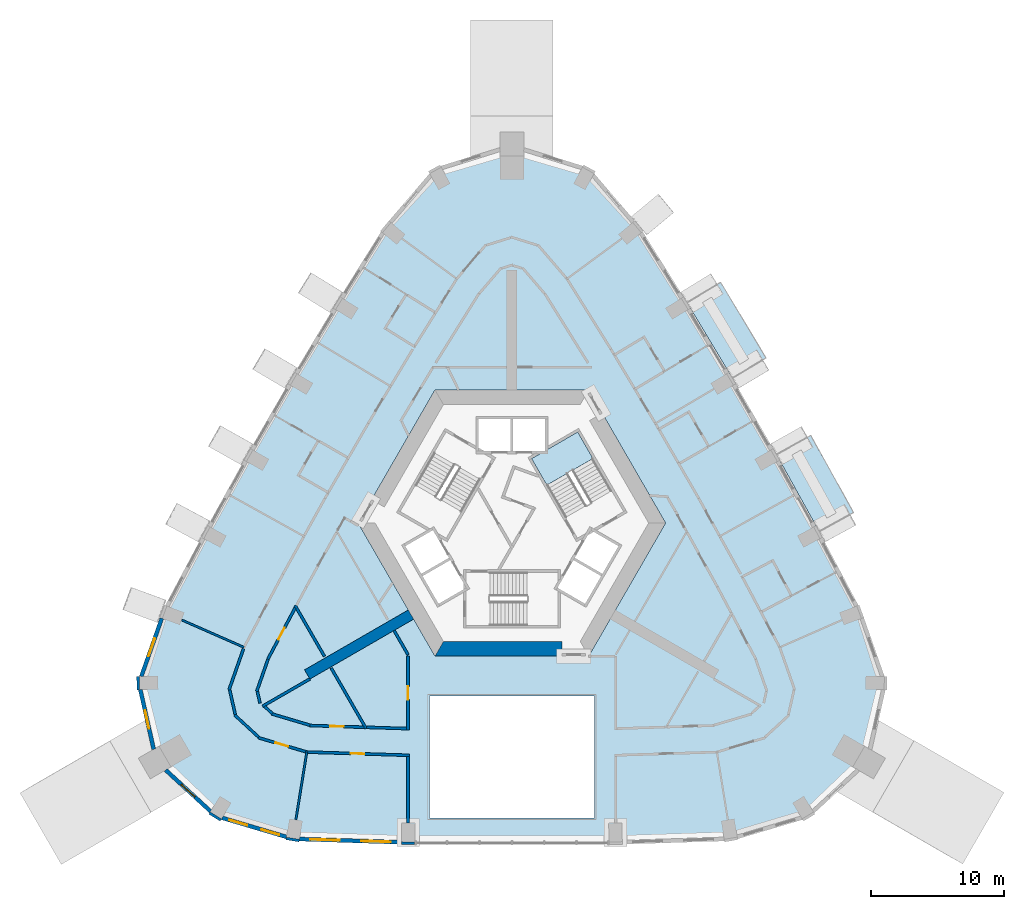
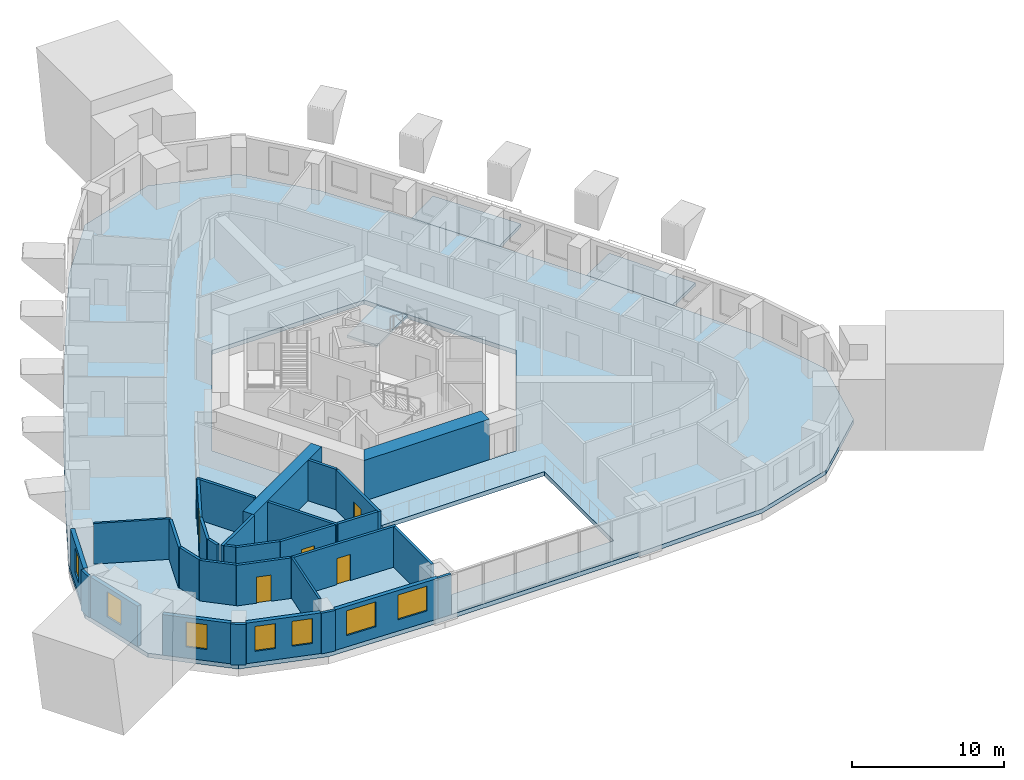
# One storey, part 3 of 12: 31 walls, 7 windows, 5 doors, 4 slabs, 12 openings, 1 element without a shape of its own.
"""IFC4 building model written with IfcOpenShell, lengths in metres."""

import ifcopenshell
import ifcopenshell.guid

model = None  # the IFC model being written
_history = None  # IfcOwnerHistory: only IFC2X3 demands one
_inside = {}  # id of a spatial element -> (the spatial element, [elements in it])
_under = {}  # id of a project, library or spatial element -> (it, [spatial elements below it])
_declared = {}  # id of a project -> (the project, [libraries it declares])
_typed = {}  # id of a type object -> (the type object, [elements of that type])
_made_of = {}  # id of a material, layer set ... -> (it, [elements and type objects made of it])


def new_model(schema):
    """Start an empty IFC model of exactly this schema.

    Asked for "IFC4X3", IfcOpenShell would pick the latest addendum, in which some entities
    have other attributes; the version numbers below select the first issue.
    IFC2X3 requires an IfcOwnerHistory on every rooted entity: one is made here for all.
    """
    global model, _history
    if schema == "IFC4X3":
        model = ifcopenshell.file(schema_version=(4, 3, 0, 0))
    else:
        model = ifcopenshell.file(schema=schema)
    _inside.clear()
    _under.clear()
    _declared.clear()
    _typed.clear()
    _made_of.clear()
    _history = None
    if model.schema == "IFC2X3":
        org = make("IfcOrganization", Name="unknown")
        user = make(
            "IfcPersonAndOrganization",
            ThePerson=make("IfcPerson", FamilyName="unknown"),
            TheOrganization=org,
        )
        app = make(
            "IfcApplication",
            ApplicationDeveloper=org,
            Version="unknown",
            ApplicationFullName="unknown",
            ApplicationIdentifier="unknown",
        )
        _history = make(
            "IfcOwnerHistory",
            OwningUser=user,
            OwningApplication=app,
            ChangeAction="ADDED",
            CreationDate=0,
        )
    return model


def make(cls, **values):
    """One entity of the class cls with the attributes given. An attribute that is None is left unset."""
    return model.create_entity(
        cls, **{name: value for name, value in values.items() if value is not None}
    )


def rooted(cls, **values):
    """An entity with a GlobalId (a new one), such as an element, a storey or a relation."""
    return make(cls, GlobalId=ifcopenshell.guid.new(), OwnerHistory=_history, **values)


def si_unit(unit_type, name, prefix=None):
    """IfcSIUnit, for example si_unit("LENGTHUNIT", "METRE", prefix="MILLI")."""
    return make("IfcSIUnit", UnitType=unit_type, Prefix=prefix, Name=name)


def assignment(units):
    """IfcUnitAssignment: the units of a project."""
    return None if units is None else make("IfcUnitAssignment", Units=units)


def point(xyz):
    """IfcCartesianPoint."""
    return None if xyz is None else make("IfcCartesianPoint", Coordinates=xyz)


def direction(xyz):
    """IfcDirection."""
    return None if xyz is None else make("IfcDirection", DirectionRatios=xyz)


def frame(location, z_axis=None, x_axis=None):
    """IfcAxis2Placement3D, a coordinate frame: its origin and axes. An axis left out is left unset."""
    return make(
        "IfcAxis2Placement3D",
        Location=point(location),
        Axis=direction(z_axis),
        RefDirection=direction(x_axis),
    )


def frame_2d(location, x_axis=None):
    """IfcAxis2Placement2D, a coordinate frame in the plane: its origin and x axis."""
    return make(
        "IfcAxis2Placement2D", Location=point(location), RefDirection=direction(x_axis)
    )


def origin():
    """The frame at (0, 0, 0) with its axes left unset."""
    return frame((0.0, 0.0, 0.0))


def place(relative_to, where):
    """IfcLocalPlacement: puts the frame where relative to a parent placement (None: the world)."""
    return make(
        "IfcLocalPlacement", PlacementRelTo=relative_to, RelativePlacement=where
    )


def context(
    kind, dimensions, precision=None, world=None, true_north=None, identifier=None
):
    """IfcGeometricRepresentationContext, for example the 3D "Model" context."""
    return make(
        "IfcGeometricRepresentationContext",
        ContextIdentifier=identifier,
        ContextType=kind,
        CoordinateSpaceDimension=dimensions,
        Precision=precision,
        WorldCoordinateSystem=world,
        TrueNorth=true_north,
    )


def subcontext(parent, identifier, kind, view, scale=None):
    """IfcGeometricRepresentationSubContext, for example "Body" below "Model"."""
    return make(
        "IfcGeometricRepresentationSubContext",
        ContextIdentifier=identifier,
        ContextType=kind,
        ParentContext=parent,
        TargetScale=scale,
        TargetView=view,
    )


def project(units=None, contexts=None):
    """IfcProject with its units and contexts."""
    return rooted(
        "IfcProject",
        Name="project",
        RepresentationContexts=contexts,
        UnitsInContext=assignment(units),
    )


def spatial(cls, under=None, at=None, **own):
    """A site, building, storey or space (cls), placed at a placement, below another one or the project."""
    s = rooted(cls, ObjectPlacement=at, **own)
    if under is not None:
        _under.setdefault(under.id(), (under, []))[1].append(s)
    return s


def polyline(points):
    """IfcPolyline through the points."""
    return make("IfcPolyline", Points=[point(p) for p in points])


def profile(cls, at=None, kind="AREA", **sizes):
    """A parametric profile (cls). Its sizes go by their IFC names, for example OverallWidth=200.0."""
    return make(cls, ProfileType=kind, Position=at, **sizes)


def rectangle(**sizes):
    """IfcRectangleProfileDef."""
    return profile("IfcRectangleProfileDef", **sizes)


def outline(outer, holes=None, kind="AREA"):
    """IfcArbitraryClosedProfileDef: a profile drawn as a closed curve; with holes, ...WithVoids."""
    if holes is None:
        return make("IfcArbitraryClosedProfileDef", ProfileType=kind, OuterCurve=outer)
    return make(
        "IfcArbitraryProfileDefWithVoids",
        ProfileType=kind,
        OuterCurve=outer,
        InnerCurves=holes,
    )


def extrude(swept, where, along, depth):
    """IfcExtrudedAreaSolid: the profile swept, set in the frame where, extruded along a direction by depth."""
    return make(
        "IfcExtrudedAreaSolid",
        SweptArea=swept,
        Position=where,
        ExtrudedDirection=direction(along),
        Depth=depth,
    )


def shape(context_of_items, identifier, shape_type, items):
    """IfcShapeRepresentation: the items that make up one representation, for example the "Body"."""
    return make(
        "IfcShapeRepresentation",
        ContextOfItems=context_of_items,
        RepresentationIdentifier=identifier,
        RepresentationType=shape_type,
        Items=items,
    )


def material(Name=None, Category=None):
    """IfcMaterial."""
    return make("IfcMaterial", Name=Name, Category=Category)


def layer(
    of_material, thickness, ventilated=None, Name=None, Category=None, Priority=None
):
    """IfcMaterialLayer: one layer of a wall or slab, of a material (None: an air gap)."""
    return make(
        "IfcMaterialLayer",
        Material=of_material,
        LayerThickness=thickness,
        IsVentilated=ventilated,
        Name=Name,
        Category=Category,
        Priority=Priority,
    )


def layer_set(layers, Name=None):
    """IfcMaterialLayerSet."""
    return make("IfcMaterialLayerSet", MaterialLayers=layers, LayerSetName=Name)


def made_of(thing, what):
    """Note that an element or type object is made of a material, layer set ...; save() writes the relation."""
    if what is not None:
        _made_of.setdefault(what.id(), (what, []))[1].append(thing)
    return thing


def type_object(cls, material=None, **own):
    """A type object (cls), such as IfcWallType, which elements share."""
    return made_of(rooted(cls, **own), material)


def element(
    cls,
    number,
    at=None,
    inside=None,
    cuts=None,
    type_object=None,
    material=None,
    context=None,
    identifier="Body",
    shape_type=None,
    held_by="IfcProductDefinitionShape",
    body=None,
    shapes=None,
    **own,
):
    """One element of the class cls, such as IfcWall. Its Tag is "e" and its number.

    at: its placement. inside: the storey or other place that contains it. cuts: it is an
    opening in that element (IfcRelVoidsElement). A single representation is given by context,
    identifier, shape_type and body (its items); several are given by shapes. held_by: the class
    of the entity that holds the representations. save() writes the other relations.
    """
    e = rooted(cls, Tag="e%d" % number, ObjectPlacement=at, **own)
    if body is not None:
        shapes = [shape(context, identifier, shape_type, body)]
    if shapes is not None:
        e.Representation = make(held_by, Representations=shapes)
    if inside is not None:
        _inside.setdefault(inside.id(), (inside, []))[1].append(e)
    if cuts is not None:
        rooted(
            "IfcRelVoidsElement", RelatingBuildingElement=cuts, RelatedOpeningElement=e
        )
    if type_object is not None:
        _typed.setdefault(type_object.id(), (type_object, []))[1].append(e)
    return made_of(e, material)


def fill(opening, filler):
    """IfcRelFillsElement: the door or window that sits in an opening."""
    return rooted(
        "IfcRelFillsElement",
        RelatingOpeningElement=opening,
        RelatedBuildingElement=filler,
    )


def aggregate(whole, parts):
    """IfcRelAggregates: a whole, such as a stair, and the parts it consists of."""
    return rooted("IfcRelAggregates", RelatingObject=whole, RelatedObjects=parts)


def save(model, path):
    """Write the relations noted so far, then the file.

    IfcRelAggregates (storeys below a building ...), IfcRelContainedInSpatialStructure (elements
    in a storey), IfcRelDefinesByType, IfcRelAssociatesMaterial and IfcRelDeclares: one each for
    every whole, place, type object, material and project.
    """
    for whole, parts in _under.values():
        aggregate(whole, parts)
    for where, things in _inside.values():
        rooted(
            "IfcRelContainedInSpatialStructure",
            RelatedElements=things,
            RelatingStructure=where,
        )
    for kind, things in _typed.values():
        rooted("IfcRelDefinesByType", RelatedObjects=things, RelatingType=kind)
    for what, things in _made_of.values():
        rooted("IfcRelAssociatesMaterial", RelatedObjects=things, RelatingMaterial=what)
    for by, libraries in _declared.values():
        rooted("IfcRelDeclares", RelatingContext=by, RelatedDefinitions=libraries)
    model.write(path)


model = new_model("IFC4")

# Units and contexts
model_context = context("Model", 3, precision=1e-05, world=origin(), true_north=direction((0.0, 1.0)))
body_context = subcontext(model_context, "Body", "Model", "MODEL_VIEW")
ifc_project = project(units=[si_unit("LENGTHUNIT", "METRE"), si_unit("AREAUNIT", "SQUARE_METRE"), si_unit("VOLUMEUNIT", "CUBIC_METRE"), si_unit("PLANEANGLEUNIT", "RADIAN"), si_unit("MASSUNIT", "GRAM", prefix="KILO")], contexts=[model_context])

# Site, building, storey
site_placement = place(None, origin())
site = spatial("IfcSite", under=ifc_project, at=site_placement, CompositionType="ELEMENT")
building_placement = place(site_placement, origin())
building = spatial("IfcBuilding", under=site, at=building_placement, Name="Entoto Arch Interchange Tower", CompositionType="ELEMENT")
storey_placement = place(building_placement, frame((0.0, 0.0, 273.800048828125)))
storey = spatial("IfcBuildingStorey", under=building, at=storey_placement, Name="L63", CompositionType="ELEMENT", Elevation=273.800048828125)

# Slabs
ifc_material_1 = material(Name="Board-marked precast concrete C50/60", Category="concrete")
ifc_layer_1 = layer(ifc_material_1, 0.25)
ifc_layer_set_1 = layer_set([ifc_layer_1], Name="Board-marked precast concrete C50/60")
slab_type_1 = type_object("IfcSlabType", Name="BALCONY DECK PRECAST 250", PredefinedType="FLOOR", material=ifc_layer_set_1)
slab_1_placement = place(storey_placement, frame((0.0, 0.0, -0.25)))
element("IfcSlab", 1, at=slab_1_placement, inside=storey, type_object=slab_type_1, Name="Planted balcony NE-02 L63", PredefinedType="FLOOR", context=body_context, shape_type="SweptSolid", body=[
    extrude(outline(polyline([(23.083984375, 1.860107421875), (19.873046875, 7.64990234375), (22.452880859375, 9.0810546875), (25.6640625, 3.291015625), (23.083984375, 1.860107421875)])), origin(), (0.0, 0.0, 1.0), 0.25),
])
slab_2_placement = place(storey_placement, frame((0.0, 0.0, -0.25)))
element("IfcSlab", 2, at=slab_2_placement, inside=storey, type_object=slab_type_1, Name="Planted balcony NE-04 L63", PredefinedType="FLOOR", context=body_context, shape_type="SweptSolid", body=[
    extrude(outline(polyline([(16.56201171875, 13.385009765625), (13.153076171875, 19.06103515625), (15.681884765625, 20.580078125), (19.091064453125, 14.904052734375), (16.56201171875, 13.385009765625)])), origin(), (0.0, 0.0, 1.0), 0.25),
])

# Stair, slab
ifc_material_2 = material(Name="Concrete C40/50", Category="concrete")
stair_type = type_object("IfcStairType", Name="EXIT STAIR RC 1800", PredefinedType="HALF_TURN_STAIR", material=ifc_material_2)
stair_placement = place(storey_placement, origin())
stair = element("IfcStair", 3, at=stair_placement, inside=storey, type_object=stair_type, Name="L63 Exit stair NE", PredefinedType="HALF_TURN_STAIR")
ifc_layer_2 = layer(ifc_material_2, 0.199951171875)
ifc_layer_set_2 = layer_set([ifc_layer_2], Name="Concrete C40/50")
slab_type_2 = type_object("IfcSlabType", Name="EXIT STAIR LANDING RC 200", PredefinedType="LANDING", material=ifc_layer_set_2)
slab_3_placement = place(storey_placement, frame((0.0, 0.0, 1.599853515625)))
slab_3 = element("IfcSlab", 4, at=slab_3_placement, type_object=slab_type_2, Name="ST-NE landing 1", PredefinedType="LANDING", context=body_context, shape_type="SweptSolid", body=[
    extrude(outline(polyline([(6.093505859375, 7.345947265625), (4.943359375, 9.337890625), (1.479248046875, 7.337890625), (2.62939453125, 5.345947265625), (6.093505859375, 7.345947265625)])), origin(), (0.0, 0.0, 1.0), 0.2001953125),
])
aggregate(stair, [slab_3])

# Slab
ifc_layer_3 = layer(ifc_material_2, 0.340087890625)
ifc_layer_set_3 = layer_set([ifc_layer_3], Name="Concrete C40/50")
slab_type_3 = type_object("IfcSlabType", Name="Post-tensioned flat plate 340 C40/50", PredefinedType="FLOOR", material=ifc_layer_set_3)
slab_4_placement = place(storey_placement, frame((0.0, 0.0, -0.340087890625)))
element("IfcSlab", 5, at=slab_4_placement, inside=storey, type_object=slab_type_3, Name="Floor slab L63", PredefinedType="FLOOR", context=body_context, shape_type="SweptSolid", body=[
    extrude(outline(polyline([(-16.47998046875, -21.3740234375), (-7.800048828125, -21.64990234375), (7.800048828125, -21.64990234375), (16.47998046875, -21.3740234375), (22.340087890625, -19.635009765625), (26.8359375, -15.493896484375), (28.174072265625, -9.529052734375), (26.27294921875, -4.135986328125), (23.083984375, 1.860107421875), (19.873046875, 7.64990234375), (16.56201171875, 13.385009765625), (13.153076171875, 19.06103515625), (9.553955078125, 24.821044921875), (5.833984375, 29.1640625), (0.0, 30.988037109375), (-5.833984375, 29.1640625), (-9.553955078125, 24.821044921875), (-13.153076171875, 19.06103515625), (-16.56201171875, 13.385009765625), (-19.873046875, 7.64990234375), (-23.083984375, 1.860107421875), (-26.27294921875, -4.135986328125), (-28.174072265625, -9.529052734375), (-26.8359375, -15.493896484375), (-22.340087890625, -19.635009765625), (-16.47998046875, -21.3740234375)]), holes=[polyline([(6.199951171875, -19.64990234375), (6.199951171875, -10.5), (-6.199951171875, -10.5), (-6.199951171875, -19.64990234375), (6.199951171875, -19.64990234375)]), polyline([(11.547119140625, 2.5), (5.77392578125, 12.5), (-5.77392578125, 12.5), (-11.547119140625, 2.5), (-5.77392578125, -7.5), (5.77392578125, -7.5), (11.547119140625, 2.5)])]), origin(), (0.0, 0.0, 1.0), 0.340087890625),
])

# Walls
ifc_layer_4 = layer(ifc_material_2, 0.800048828125)
ifc_layer_set_4 = layer_set([ifc_layer_4], Name="Concrete C40/50")
wall_type_1 = type_object("IfcWallType", Name="Buttress wall 800 C40/50", PredefinedType="SHEAR", material=ifc_layer_set_4)
wall_1_placement = place(storey_placement, frame((-7.577880859375, -4.375, -0.340087890625), z_axis=(0.0, 0.0, 1.0), x_axis=(-0.866024315419, -0.5000018851, 0.0)))
element("IfcWall", 6, at=wall_1_placement, inside=storey, type_object=wall_type_1, Name="Buttress wall SW L63", PredefinedType="SHEAR", context=body_context, shape_type="SweptSolid", body=[
    extrude(rectangle(XDim=9.0, YDim=0.800048828125, at=frame_2d((4.5, 0.0))), origin(), (0.0, 0.0, 1.0), 3.60009765625),
])
ifc_layer_5 = layer(ifc_material_2, 1.10009765625)
ifc_layer_set_5 = layer_set([ifc_layer_5], Name="Concrete C40/50")
wall_type_2 = type_object("IfcWallType", Name="Core wall 1100 C40/50", PredefinedType="SHEAR", material=ifc_layer_set_5)
wall_2_placement = place(storey_placement, frame((0.0, 0.0, -0.340087890625)))
element("IfcWall", 7, at=wall_2_placement, inside=storey, type_object=wall_type_2, Name="Core wall S L63", PredefinedType="SHEAR", context=body_context, shape_type="SweptSolid", body=[
    extrude(outline(polyline([(3.75, -7.5), (3.75, -6.39990234375), (-5.137939453125, -6.39990234375), (-5.77392578125, -7.5), (3.75, -7.5)])), origin(), (0.0, 0.0, 1.0), 3.60009765625),
])
ifc_material_3 = material(Name="Gypsum board partition on steel studs", Category="steel")
ifc_layer_6 = layer(ifc_material_3, 0.14990234375)
ifc_layer_set_6 = layer_set([ifc_layer_6], Name="Gypsum board partition on steel studs")
wall_type_3 = type_object("IfcWallType", Name="PARTITION 150", PredefinedType="PARTITIONING", material=ifc_layer_set_6)
wall_3_placement = place(storey_placement, frame((-20.12109375, -6.837890625, 0.0), z_axis=(0.0, 0.0, 1.0), x_axis=(-0.91561994307, 0.402044922679, 0.0)))
element("IfcWall", 8, at=wall_3_placement, inside=storey, type_object=wall_type_3, Name="wall:L63:p122", PredefinedType="PARTITIONING", context=body_context, shape_type="SweptSolid", body=[
    extrude(rectangle(XDim=5.095947265625, YDim=0.14990234375, at=frame_2d((2.5478515625, 0.0))), origin(), (0.0, 0.0, 1.0), 3.260009765625),
])
wall_4_placement = place(storey_placement, frame((-15.403076171875, -14.705078125, 0.0), z_axis=(0.0, 0.0, 1.0), x_axis=(-0.159447664828, -0.98720638277, 0.0)))
element("IfcWall", 9, at=wall_4_placement, inside=storey, type_object=wall_type_3, Name="wall:L63:p123", PredefinedType="PARTITIONING", context=body_context, shape_type="SweptSolid", body=[
    extrude(rectangle(XDim=5.135498046875, YDim=0.14990234375, at=frame_2d((2.56787109375, 0.0))), origin(), (0.0, 0.0, 1.0), 3.260009765625),
])
ifc_layer_7 = layer(ifc_material_3, 0.199951171875)
ifc_layer_set_7 = layer_set([ifc_layer_7], Name="Gypsum board partition on steel studs")
wall_type_4 = type_object("IfcWallType", Name="PARTITION 200", PredefinedType="PARTITIONING", material=ifc_layer_set_7)
wall_5_placement = place(storey_placement, frame((-10.902099609375, -12.846923828125, 0.0), z_axis=(0.0, 0.0, 1.0), x_axis=(0.999500028713, -0.031617915847, 0.0)))
element("IfcWall", 10, at=wall_5_placement, inside=storey, type_object=wall_type_4, Name="wall:L63:p030", PredefinedType="PARTITIONING", context=body_context, shape_type="SweptSolid", body=[
    extrude(rectangle(XDim=3.003662109375, YDim=0.199951171875, at=frame_2d((1.501953125, 0.0))), origin(), (0.0, 0.0, 1.0), 3.260009765625),
])

# Wall, opening, door
wall_6_placement = place(storey_placement, frame((-16.279052734375, -3.873046875, 0.0), z_axis=(0.0, 0.0, 1.0), x_axis=(-0.469587967357, -0.882885689608, 0.0)))
wall_6 = element("IfcWall", 11, at=wall_6_placement, inside=storey, type_object=wall_type_4, Name="wall:L63:p031", PredefinedType="PARTITIONING", context=body_context, shape_type="SweptSolid", body=[
    extrude(rectangle(XDim=4.371826171875, YDim=0.199951171875, at=frame_2d((2.18603515625, 0.0))), origin(), (0.0, 0.0, 1.0), 3.260009765625),
])
opening_1_placement = place(wall_6_placement, frame((1.68603515625, 0.0, 0.0)))
opening_1 = element("IfcOpeningElement", 12, at=opening_1_placement, cuts=wall_6, Name="Opening L63-D28", PredefinedType="OPENING", context=body_context, shape_type="SweptSolid", body=[
    extrude(rectangle(XDim=1.0, YDim=2.10009765625, at=frame_2d((0.5, 1.050048828125))), frame((0.0, 0.10986328125, 0.0), z_axis=(0.0, -1.0, 0.0), x_axis=(1.0, 0.0, 0.0)), (0.0, 0.0, 1.0), 0.219970703125),
])
ifc_material_4 = material(Name="Timber door leaf in Steel S235 frame", Category="steel")
door_type = type_object("IfcDoorType", Name="DOOR DS-10 1000x2100", OperationType="SINGLE_SWING_LEFT", PredefinedType="DOOR", material=ifc_material_4)
door_1_placement = place(opening_1_placement, origin())
door_1 = element("IfcDoor", 13, at=door_1_placement, inside=storey, type_object=door_type, Name="door:L63:28", OperationType="SINGLE_SWING_LEFT", OverallHeight=2.10009765625, OverallWidth=1.0, PredefinedType="DOOR", context=body_context, shape_type="SweptSolid", body=[
    extrude(rectangle(XDim=1.0, YDim=2.10009765625, at=frame_2d((0.5, 1.050048828125))), frame((0.0, 0.02490234375, 0.0), z_axis=(0.0, -1.0, 0.0), x_axis=(1.0, 0.0, 0.0)), (0.0, 0.0, 1.0), 0.050048828125),
])
fill(opening_1, door_1)

# Walls
wall_7_placement = place(storey_placement, frame((-18.318115234375, -7.739013671875, 0.0), z_axis=(0.0, 0.0, 1.0), x_axis=(-0.332486504777, -0.943108012977, 0.0)))
element("IfcWall", 14, at=wall_7_placement, inside=storey, type_object=wall_type_4, Name="wall:L63:p032", PredefinedType="PARTITIONING", context=body_context, shape_type="SweptSolid", body=[
    extrude(rectangle(XDim=2.56494140625, YDim=0.199951171875, at=frame_2d((1.282470703125, 0.0))), origin(), (0.0, 0.0, 1.0), 3.260009765625),
])
wall_8_placement = place(storey_placement, frame((-19.115966796875, -10.160888671875, 0.0), z_axis=(0.0, 0.0, 1.0), x_axis=(0.219096654714, -0.975703159723, 0.0)))
element("IfcWall", 15, at=wall_8_placement, inside=storey, type_object=wall_type_4, Name="wall:L63:p033", PredefinedType="PARTITIONING", context=body_context, shape_type="SweptSolid", body=[
    extrude(rectangle(XDim=0.894775390625, YDim=0.199951171875, at=frame_2d((0.447265625, 0.0))), origin(), (0.0, 0.0, 1.0), 3.260009765625),
])
wall_9_placement = place(storey_placement, frame((-18.56689453125, -11.281982421875, 0.0), z_axis=(0.0, 0.0, 1.0), x_axis=(0.735218904444, -0.677829744514, 0.0)))
element("IfcWall", 16, at=wall_9_placement, inside=storey, type_object=wall_type_4, Name="wall:L63:p034", PredefinedType="PARTITIONING", context=body_context, shape_type="SweptSolid", body=[
    extrude(rectangle(XDim=0.765625, YDim=0.199951171875, at=frame_2d((0.3828125, 0.0))), origin(), (0.0, 0.0, 1.0), 3.260009765625),
])
wall_10_placement = place(storey_placement, frame((-18.02587890625, -11.840087890625, 0.0), z_axis=(0.0, 0.0, 1.0), x_axis=(0.958629704259, -0.284656090947, 0.0)))
element("IfcWall", 17, at=wall_10_placement, inside=storey, type_object=wall_type_4, Name="wall:L63:p035", PredefinedType="PARTITIONING", context=body_context, shape_type="SweptSolid", body=[
    extrude(rectangle(XDim=2.971923828125, YDim=0.199951171875, at=frame_2d((1.48583984375, 0.0))), origin(), (0.0, 0.0, 1.0), 3.260009765625),
])

# Wall, opening, door
wall_11_placement = place(storey_placement, frame((-15.180908203125, -12.7109375, 0.0), z_axis=(0.0, 0.0, 1.0), x_axis=(0.999491493959, -0.031886572471, 0.0)))
wall_11 = element("IfcWall", 18, at=wall_11_placement, inside=storey, type_object=wall_type_4, Name="wall:L63:p036", PredefinedType="PARTITIONING", context=body_context, shape_type="SweptSolid", body=[
    extrude(rectangle(XDim=4.080810546875, YDim=0.199951171875, at=frame_2d((2.04052734375, 0.0))), origin(), (0.0, 0.0, 1.0), 3.260009765625),
])
opening_2_placement = place(wall_11_placement, frame((1.541015625, 0.0, 0.0)))
opening_2 = element("IfcOpeningElement", 19, at=opening_2_placement, cuts=wall_11, Name="Opening L63-D29", PredefinedType="OPENING", context=body_context, shape_type="SweptSolid", body=[
    extrude(rectangle(XDim=1.0, YDim=2.10009765625, at=frame_2d((0.5, 1.050048828125))), frame((0.0, 0.10986328125, 0.0), z_axis=(0.0, -1.0, 0.0), x_axis=(1.0, 0.0, 0.0)), (0.0, 0.0, 1.0), 0.219970703125),
])
door_2_placement = place(opening_2_placement, origin())
door_2 = element("IfcDoor", 20, at=door_2_placement, inside=storey, type_object=door_type, Name="door:L63:29", OperationType="SINGLE_SWING_LEFT", OverallHeight=2.10009765625, OverallWidth=1.0, PredefinedType="DOOR", context=body_context, shape_type="SweptSolid", body=[
    extrude(rectangle(XDim=1.0, YDim=2.10009765625, at=frame_2d((0.5, 1.050048828125))), frame((0.0, 0.02490234375, 0.0), z_axis=(0.0, -1.0, 0.0), x_axis=(1.0, 0.0, 0.0)), (0.0, 0.0, 1.0), 0.050048828125),
])
fill(opening_2, door_2)

wall_12_placement = place(storey_placement, frame((-15.4990234375, -14.676025390625, 0.0), z_axis=(0.0, 0.0, 1.0), x_axis=(-0.958734738219, 0.284302131073, 0.0)))
wall_12 = element("IfcWall", 21, at=wall_12_placement, inside=storey, type_object=wall_type_4, Name="wall:L63:p067", PredefinedType="PARTITIONING", context=body_context, shape_type="SweptSolid", body=[
    extrude(rectangle(XDim=3.693359375, YDim=0.199951171875, at=frame_2d((1.8466796875, 0.0))), origin(), (0.0, 0.0, 1.0), 3.260009765625),
])
opening_3_placement = place(wall_12_placement, frame((1.346923828125, 0.0, 0.0)))
opening_3 = element("IfcOpeningElement", 22, at=opening_3_placement, cuts=wall_12, Name="Opening L63-D20", PredefinedType="OPENING", context=body_context, shape_type="SweptSolid", body=[
    extrude(rectangle(XDim=1.0, YDim=2.10009765625, at=frame_2d((0.5, 1.050048828125))), frame((0.0, 0.10986328125, 0.0), z_axis=(0.0, -1.0, 0.0), x_axis=(1.0, 0.0, 0.0)), (0.0, 0.0, 1.0), 0.219970703125),
])
door_3_placement = place(opening_3_placement, origin())
door_3 = element("IfcDoor", 23, at=door_3_placement, inside=storey, type_object=door_type, Name="door:L63:20", OperationType="SINGLE_SWING_LEFT", OverallHeight=2.10009765625, OverallWidth=1.0, PredefinedType="DOOR", context=body_context, shape_type="SweptSolid", body=[
    extrude(rectangle(XDim=1.0, YDim=2.10009765625, at=frame_2d((0.5, 1.050048828125))), frame((0.0, 0.02490234375, 0.0), z_axis=(0.0, -1.0, 0.0), x_axis=(1.0, 0.0, 0.0)), (0.0, 0.0, 1.0), 0.050048828125),
])
fill(opening_3, door_3)

# Walls
wall_13_placement = place(storey_placement, frame((-19.01806640625, -13.5859375, 0.0), z_axis=(0.0, 0.0, 1.0), x_axis=(-0.735547704352, 0.67747293276, 0.0)))
element("IfcWall", 24, at=wall_13_placement, inside=storey, type_object=wall_type_4, Name="wall:L63:p068", PredefinedType="PARTITIONING", context=body_context, shape_type="SweptSolid", body=[
    extrude(rectangle(XDim=2.46337890625, YDim=0.199951171875, at=frame_2d((1.231689453125, 0.0))), origin(), (0.0, 0.0, 1.0), 3.260009765625),
])
wall_14_placement = place(storey_placement, frame((-20.779052734375, -11.886962890625, 0.0), z_axis=(0.0, 0.0, 1.0), x_axis=(-0.218540107266, 0.975827967173, 0.0)))
element("IfcWall", 25, at=wall_14_placement, inside=storey, type_object=wall_type_4, Name="wall:L63:p069", PredefinedType="PARTITIONING", context=body_context, shape_type="SweptSolid", body=[
    extrude(rectangle(XDim=1.894775390625, YDim=0.199951171875, at=frame_2d((0.947265625, 0.0))), origin(), (0.0, 0.0, 1.0), 3.260009765625),
])
wall_15_placement = place(storey_placement, frame((-21.248046875, -10.034912109375, 0.0), z_axis=(0.0, 0.0, 1.0), x_axis=(0.332233916116, 0.943197023417, 0.0)))
element("IfcWall", 26, at=wall_15_placement, inside=storey, type_object=wall_type_4, Name="wall:L63:p070", PredefinedType="PARTITIONING", context=body_context, shape_type="SweptSolid", body=[
    extrude(rectangle(XDim=3.289794921875, YDim=0.199951171875, at=frame_2d((1.64501953125, 0.0))), origin(), (0.0, 0.0, 1.0), 3.260009765625),
])

# Wall, opening, door
wall_16_placement = place(storey_placement, frame((-7.699951171875, -14.949951171875, 0.0), z_axis=(0.0, 0.0, 1.0), x_axis=(-0.999495120537, 0.031772693047, 0.0)))
wall_16 = element("IfcWall", 27, at=wall_16_placement, inside=storey, type_object=wall_type_4, Name="wall:L63:p071", PredefinedType="PARTITIONING", context=body_context, shape_type="SweptSolid", body=[
    extrude(rectangle(XDim=7.806884765625, YDim=0.199951171875, at=frame_2d((3.9033203125, 0.0))), origin(), (0.0, 0.0, 1.0), 3.260009765625),
])
opening_4_placement = place(wall_16_placement, frame((3.403076171875, 0.0, 0.0)))
opening_4 = element("IfcOpeningElement", 28, at=opening_4_placement, cuts=wall_16, Name="Opening L63-D21", PredefinedType="OPENING", context=body_context, shape_type="SweptSolid", body=[
    extrude(rectangle(XDim=1.0, YDim=2.10009765625, at=frame_2d((0.5, 1.050048828125))), frame((0.0, 0.10986328125, 0.0), z_axis=(0.0, -1.0, 0.0), x_axis=(1.0, 0.0, 0.0)), (0.0, 0.0, 1.0), 0.219970703125),
])
door_4_placement = place(opening_4_placement, origin())
door_4 = element("IfcDoor", 29, at=door_4_placement, inside=storey, type_object=door_type, Name="door:L63:21", OperationType="SINGLE_SWING_LEFT", OverallHeight=2.10009765625, OverallWidth=1.0, PredefinedType="DOOR", context=body_context, shape_type="SweptSolid", body=[
    extrude(rectangle(XDim=1.0, YDim=2.10009765625, at=frame_2d((0.5, 1.050048828125))), frame((0.0, 0.02490234375, 0.0), z_axis=(0.0, -1.0, 0.0), x_axis=(1.0, 0.0, 0.0)), (0.0, 0.0, 1.0), 0.050048828125),
])
fill(opening_4, door_4)

wall_17_placement = place(storey_placement, frame((-7.800048828125, -13.0458984375, 0.0), z_axis=(0.0, 0.0, 1.0), x_axis=(0.0, 1.0, 0.0)))
wall_17 = element("IfcWall", 30, at=wall_17_placement, inside=storey, type_object=wall_type_4, Name="wall:L63:p082", PredefinedType="PARTITIONING", context=body_context, shape_type="SweptSolid", body=[
    extrude(rectangle(XDim=5.546875, YDim=0.199951171875, at=frame_2d((2.7734375, 0.0))), origin(), (0.0, 0.0, 1.0), 3.260009765625),
])
opening_5_placement = place(wall_17_placement, frame((2.27294921875, 0.0, 0.0)))
opening_5 = element("IfcOpeningElement", 31, at=opening_5_placement, cuts=wall_17, Name="Opening L63-D27", PredefinedType="OPENING", context=body_context, shape_type="SweptSolid", body=[
    extrude(rectangle(XDim=1.0, YDim=2.10009765625, at=frame_2d((0.5, 1.050048828125))), frame((0.0, 0.10986328125, 0.0), z_axis=(0.0, -1.0, 0.0), x_axis=(1.0, 0.0, 0.0)), (0.0, 0.0, 1.0), 0.219970703125),
])
door_5_placement = place(opening_5_placement, origin())
door_5 = element("IfcDoor", 32, at=door_5_placement, inside=storey, type_object=door_type, Name="door:L63:27", OperationType="SINGLE_SWING_LEFT", OverallHeight=2.10009765625, OverallWidth=1.0, PredefinedType="DOOR", context=body_context, shape_type="SweptSolid", body=[
    extrude(rectangle(XDim=1.0, YDim=2.10009765625, at=frame_2d((0.5, 1.050048828125))), frame((0.0, 0.02490234375, 0.0), z_axis=(0.0, -1.0, 0.0), x_axis=(1.0, 0.0, 0.0)), (0.0, 0.0, 1.0), 0.050048828125),
])
fill(opening_5, door_5)

# Walls
wall_18_placement = place(storey_placement, frame((-7.800048828125, -7.389892578125, 0.0), z_axis=(0.0, 0.0, 1.0), x_axis=(-0.499977374825, 0.866038466041, 0.0)))
element("IfcWall", 33, at=wall_18_placement, inside=storey, type_object=wall_type_4, Name="wall:L63:p083", PredefinedType="PARTITIONING", context=body_context, shape_type="SweptSolid", body=[
    extrude(rectangle(XDim=2.10009765625, YDim=0.199951171875, at=frame_2d((1.050048828125, 0.0))), origin(), (0.0, 0.0, 1.0), 3.260009765625),
])
wall_19_placement = place(storey_placement, frame((-7.800048828125, -20.030029296875, 0.0), z_axis=(0.0, 0.0, 1.0), x_axis=(0.0, 1.0, 0.0)))
element("IfcWall", 34, at=wall_19_placement, inside=storey, type_object=wall_type_4, Name="wall:L63:p085", PredefinedType="PARTITIONING", context=body_context, shape_type="SweptSolid", body=[
    extrude(rectangle(XDim=4.98291015625, YDim=0.199951171875, at=frame_2d((2.491455078125, 0.0))), origin(), (0.0, 0.0, 1.0), 3.260009765625),
])
wall_20_placement = place(storey_placement, frame((-14.0791015625, -7.513916015625, 0.0), z_axis=(0.0, 0.0, 1.0), x_axis=(-0.499959077901, 0.86604902888, 0.0)))
element("IfcWall", 35, at=wall_20_placement, inside=storey, type_object=wall_type_4, Name="wall:L63:p090", PredefinedType="PARTITIONING", context=body_context, shape_type="SweptSolid", body=[
    extrude(rectangle(XDim=4.406005859375, YDim=0.199951171875, at=frame_2d((2.203125, 0.0))), origin(), (0.0, 0.0, 1.0), 3.260009765625),
])
wall_21_placement = place(storey_placement, frame((-10.951904296875, -12.929931640625, 0.0), z_axis=(0.0, 0.0, 1.0), x_axis=(-0.50002013732, 0.866013777185, 0.0)))
element("IfcWall", 36, at=wall_21_placement, inside=storey, type_object=wall_type_4, Name="wall:L63:p092", PredefinedType="PARTITIONING", context=body_context, shape_type="SweptSolid", body=[
    extrude(rectangle(XDim=5.229736328125, YDim=0.199951171875, at=frame_2d((2.61474609375, 0.0))), origin(), (0.0, 0.0, 1.0), 3.260009765625),
])
wall_22_placement = place(storey_placement, frame((-15.176025390625, -9.214111328125, 0.0), z_axis=(0.0, 0.0, 1.0), x_axis=(-0.86606561423, -0.499930346997, 0.0)))
element("IfcWall", 37, at=wall_22_placement, inside=storey, type_object=wall_type_4, Name="wall:L63:p093", PredefinedType="PARTITIONING", context=body_context, shape_type="SweptSolid", body=[
    extrude(rectangle(XDim=4.10009765625, YDim=0.199951171875, at=frame_2d((2.050048828125, 0.0))), origin(), (0.0, 0.0, 1.0), 3.260009765625),
])

# Wall, openings, windows
ifc_material_5 = material(Name="Welded tuff (ignimbrite) cladding, warm buff", Category="masonry")
ifc_layer_8 = layer(ifc_material_5, 0.300048828125)
ifc_layer_set_8 = layer_set([ifc_layer_8], Name="Welded tuff (ignimbrite) cladding, warm buff")
wall_type_5 = type_object("IfcWallType", Name="STONE INFILL WALL 300", PredefinedType="STANDARD", material=ifc_layer_set_8)
wall_23_placement = place(storey_placement, frame((-15.950927734375, -21.240966796875, 0.0), z_axis=(0.0, 0.0, 1.0), x_axis=(0.999496876383, -0.031717410046, 0.0)))
wall_23 = element("IfcWall", 38, at=wall_23_placement, inside=storey, type_object=wall_type_5, Name="Facade wall S-01 L63", PredefinedType="STANDARD", context=body_context, shape_type="SweptSolid", body=[
    extrude(rectangle(XDim=7.658935546875, YDim=0.300048828125, at=frame_2d((3.82958984375, 0.0))), origin(), (0.0, 0.0, 1.0), 3.260009765625),
])
opening_6_placement = place(wall_23_placement, frame((0.81494140625, 0.0, 0.89990234375)))
opening_6 = element("IfcOpeningElement", 39, at=opening_6_placement, cuts=wall_23, Name="Opening WH-A", PredefinedType="OPENING", context=body_context, shape_type="SweptSolid", body=[
    extrude(rectangle(XDim=2.199951171875, YDim=2.0, at=frame_2d((1.10009765625, 1.0))), frame((0.0, 0.16015625, 0.0), z_axis=(0.0, -1.0, 0.0), x_axis=(1.0, 0.0, 0.0)), (0.0, 0.0, 1.0), 0.320068359375),
])
opening_7_placement = place(wall_23_placement, frame((4.64404296875, 0.0, 0.89990234375)))
opening_7 = element("IfcOpeningElement", 40, at=opening_7_placement, cuts=wall_23, Name="Opening WH-A", PredefinedType="OPENING", context=body_context, shape_type="SweptSolid", body=[
    extrude(rectangle(XDim=2.199951171875, YDim=2.0, at=frame_2d((1.10009765625, 1.0))), frame((0.0, 0.16015625, 0.0), z_axis=(0.0, -1.0, 0.0), x_axis=(1.0, 0.0, 0.0)), (0.0, 0.0, 1.0), 0.320068359375),
])
ifc_material_6 = material(Name="Clear glass, low-e double glazed", Category="glass")
window_type_1 = type_object("IfcWindowType", Name="WINDOW WH-A 2200x2000", PartitioningType="DOUBLE_PANEL_VERTICAL", PredefinedType="WINDOW", material=ifc_material_6)
window_1_placement = place(opening_6_placement, origin())
window_1 = element("IfcWindow", 41, at=window_1_placement, inside=storey, type_object=window_type_1, Name="Window WH-A S-01 L63", OverallHeight=2.0, OverallWidth=2.199951171875, PartitioningType="SINGLE_PANEL", PredefinedType="WINDOW", context=body_context, shape_type="SweptSolid", body=[
    extrude(rectangle(XDim=2.199951171875, YDim=2.0, at=frame_2d((1.10009765625, 1.0))), frame((0.0, 0.030029296875, 0.0), z_axis=(0.0, -1.0, 0.0), x_axis=(1.0, 0.0, 0.0)), (0.0, 0.0, 1.0), 0.06005859375),
])
fill(opening_6, window_1)
window_2_placement = place(opening_7_placement, origin())
window_2 = element("IfcWindow", 42, at=window_2_placement, inside=storey, type_object=window_type_1, Name="Window WH-A S-01 L63", OverallHeight=2.0, OverallWidth=2.199951171875, PartitioningType="SINGLE_PANEL", PredefinedType="WINDOW", context=body_context, shape_type="SweptSolid", body=[
    extrude(rectangle(XDim=2.199951171875, YDim=2.0, at=frame_2d((1.10009765625, 1.0))), frame((0.0, 0.030029296875, 0.0), z_axis=(0.0, -1.0, 0.0), x_axis=(1.0, 0.0, 0.0)), (0.0, 0.0, 1.0), 0.06005859375),
])
fill(opening_7, window_2)

# Wall, opening, window
wall_24_placement = place(storey_placement, frame((-26.298095703125, -4.658935546875, 0.0), z_axis=(0.0, 0.0, 1.0), x_axis=(-0.332491532378, -0.943106240514, 0.0)))
wall_24 = element("IfcWall", 43, at=wall_24_placement, inside=storey, type_object=wall_type_5, Name="Facade wall SW-01 L63", PredefinedType="STANDARD", context=body_context, shape_type="SweptSolid", body=[
    extrude(rectangle(XDim=4.625244140625, YDim=0.300048828125, at=frame_2d((2.3125, 0.0))), origin(), (0.0, 0.0, 1.0), 3.260009765625),
])
opening_8_placement = place(wall_24_placement, frame((1.613037109375, 0.0, 0.89990234375)))
opening_8 = element("IfcOpeningElement", 44, at=opening_8_placement, cuts=wall_24, Name="Opening WH-B", PredefinedType="OPENING", context=body_context, shape_type="SweptSolid", body=[
    extrude(rectangle(XDim=1.39990234375, YDim=2.0, at=frame_2d((0.699951171875, 1.0))), frame((0.0, 0.16015625, 0.0), z_axis=(0.0, -1.0, 0.0), x_axis=(1.0, 0.0, 0.0)), (0.0, 0.0, 1.0), 0.320068359375),
])
window_type_2 = type_object("IfcWindowType", Name="WINDOW WH-B 1400x2000", PartitioningType="DOUBLE_PANEL_VERTICAL", PredefinedType="WINDOW", material=ifc_material_6)
window_3_placement = place(opening_8_placement, origin())
window_3 = element("IfcWindow", 45, at=window_3_placement, inside=storey, type_object=window_type_2, Name="Window WH-B SW-01 L63", OverallHeight=2.0, OverallWidth=1.39990234375, PartitioningType="SINGLE_PANEL", PredefinedType="WINDOW", context=body_context, shape_type="SweptSolid", body=[
    extrude(rectangle(XDim=1.39990234375, YDim=2.0, at=frame_2d((0.699951171875, 1.0))), frame((0.0, 0.030029296875, 0.0), z_axis=(0.0, -1.0, 0.0), x_axis=(1.0, 0.0, 0.0)), (0.0, 0.0, 1.0), 0.06005859375),
])
fill(opening_8, window_3)

wall_25_placement = place(storey_placement, frame((-27.909912109375, -10.02197265625, 0.0), z_axis=(0.0, 0.0, 1.0), x_axis=(0.218936963279, -0.975739005119, 0.0)))
wall_25 = element("IfcWall", 46, at=wall_25_placement, inside=storey, type_object=wall_type_5, Name="Facade wall SW-02 L63", PredefinedType="STANDARD", context=body_context, shape_type="SweptSolid", body=[
    extrude(rectangle(XDim=4.58544921875, YDim=0.300048828125, at=frame_2d((2.292724609375, 0.0))), origin(), (0.0, 0.0, 1.0), 3.260009765625),
])
opening_9_placement = place(wall_25_placement, frame((1.593017578125, 0.0, 0.89990234375)))
opening_9 = element("IfcOpeningElement", 47, at=opening_9_placement, cuts=wall_25, Name="Opening WH-B", PredefinedType="OPENING", context=body_context, shape_type="SweptSolid", body=[
    extrude(rectangle(XDim=1.39990234375, YDim=2.0, at=frame_2d((0.699951171875, 1.0))), frame((0.0, 0.16015625, 0.0), z_axis=(0.0, -1.0, 0.0), x_axis=(1.0, 0.0, 0.0)), (0.0, 0.0, 1.0), 0.320068359375),
])
window_4_placement = place(opening_9_placement, origin())
window_4 = element("IfcWindow", 48, at=window_4_placement, inside=storey, type_object=window_type_2, Name="Window WH-B SW-02 L63", OverallHeight=2.0, OverallWidth=1.39990234375, PartitioningType="SINGLE_PANEL", PredefinedType="WINDOW", context=body_context, shape_type="SweptSolid", body=[
    extrude(rectangle(XDim=1.39990234375, YDim=2.0, at=frame_2d((0.699951171875, 1.0))), frame((0.0, 0.030029296875, 0.0), z_axis=(0.0, -1.0, 0.0), x_axis=(1.0, 0.0, 0.0)), (0.0, 0.0, 1.0), 0.06005859375),
])
fill(opening_9, window_4)

wall_26_placement = place(storey_placement, frame((-26.007080078125, -16.053955078125, 0.0), z_axis=(0.0, 0.0, 1.0), x_axis=(0.735631679486, -0.677381747714, 0.0)))
wall_26 = element("IfcWall", 49, at=wall_26_placement, inside=storey, type_object=wall_type_5, Name="Facade wall SW-03 L63", PredefinedType="STANDARD", context=body_context, shape_type="SweptSolid", body=[
    extrude(rectangle(XDim=4.585205078125, YDim=0.300048828125, at=frame_2d((2.29248046875, 0.0))), origin(), (0.0, 0.0, 1.0), 3.260009765625),
])
opening_10_placement = place(wall_26_placement, frame((1.593017578125, 0.0, 0.89990234375)))
opening_10 = element("IfcOpeningElement", 50, at=opening_10_placement, cuts=wall_26, Name="Opening WH-B", PredefinedType="OPENING", context=body_context, shape_type="SweptSolid", body=[
    extrude(rectangle(XDim=1.39990234375, YDim=2.0, at=frame_2d((0.699951171875, 1.0))), frame((0.0, 0.16015625, 0.0), z_axis=(0.0, -1.0, 0.0), x_axis=(1.0, 0.0, 0.0)), (0.0, 0.0, 1.0), 0.320068359375),
])
window_5_placement = place(opening_10_placement, origin())
window_5 = element("IfcWindow", 51, at=window_5_placement, inside=storey, type_object=window_type_2, Name="Window WH-B SW-03 L63", OverallHeight=2.0, OverallWidth=1.39990234375, PartitioningType="SINGLE_PANEL", PredefinedType="WINDOW", context=body_context, shape_type="SweptSolid", body=[
    extrude(rectangle(XDim=1.39990234375, YDim=2.0, at=frame_2d((0.699951171875, 1.0))), frame((0.0, 0.030029296875, 0.0), z_axis=(0.0, -1.0, 0.0), x_axis=(1.0, 0.0, 0.0)), (0.0, 0.0, 1.0), 0.06005859375),
])
fill(opening_10, window_5)

# Wall, openings, windows
wall_27_placement = place(storey_placement, frame((-21.763916015625, -19.64892578125, 0.0), z_axis=(0.0, 0.0, 1.0), x_axis=(0.95864045837, -0.284619872067, 0.0)))
wall_27 = element("IfcWall", 52, at=wall_27_placement, inside=storey, type_object=wall_type_5, Name="Facade wall SW-04 L63", PredefinedType="STANDARD", context=body_context, shape_type="SweptSolid", body=[
    extrude(rectangle(XDim=5.03515625, YDim=0.300048828125, at=frame_2d((2.517578125, 0.0))), origin(), (0.0, 0.0, 1.0), 3.260009765625),
])
opening_11_placement = place(wall_27_placement, frame((0.55908203125, 0.0, 0.89990234375)))
opening_11 = element("IfcOpeningElement", 53, at=opening_11_placement, cuts=wall_27, Name="Opening WH-B", PredefinedType="OPENING", context=body_context, shape_type="SweptSolid", body=[
    extrude(rectangle(XDim=1.39990234375, YDim=2.0, at=frame_2d((0.699951171875, 1.0))), frame((0.0, 0.16015625, 0.0), z_axis=(0.0, -1.0, 0.0), x_axis=(1.0, 0.0, 0.0)), (0.0, 0.0, 1.0), 0.320068359375),
])
opening_12_placement = place(wall_27_placement, frame((3.075927734375, 0.0, 0.89990234375)))
opening_12 = element("IfcOpeningElement", 54, at=opening_12_placement, cuts=wall_27, Name="Opening WH-B", PredefinedType="OPENING", context=body_context, shape_type="SweptSolid", body=[
    extrude(rectangle(XDim=1.39990234375, YDim=2.0, at=frame_2d((0.699951171875, 1.0))), frame((0.0, 0.16015625, 0.0), z_axis=(0.0, -1.0, 0.0), x_axis=(1.0, 0.0, 0.0)), (0.0, 0.0, 1.0), 0.320068359375),
])
window_6_placement = place(opening_11_placement, origin())
window_6 = element("IfcWindow", 55, at=window_6_placement, inside=storey, type_object=window_type_2, Name="Window WH-B SW-04 L63", OverallHeight=2.0, OverallWidth=1.39990234375, PartitioningType="SINGLE_PANEL", PredefinedType="WINDOW", context=body_context, shape_type="SweptSolid", body=[
    extrude(rectangle(XDim=1.39990234375, YDim=2.0, at=frame_2d((0.699951171875, 1.0))), frame((0.0, 0.030029296875, 0.0), z_axis=(0.0, -1.0, 0.0), x_axis=(1.0, 0.0, 0.0)), (0.0, 0.0, 1.0), 0.06005859375),
])
fill(opening_11, window_6)
window_7_placement = place(opening_12_placement, origin())
window_7 = element("IfcWindow", 56, at=window_7_placement, inside=storey, type_object=window_type_2, Name="Window WH-B SW-04 L63", OverallHeight=2.0, OverallWidth=1.39990234375, PartitioningType="SINGLE_PANEL", PredefinedType="WINDOW", context=body_context, shape_type="SweptSolid", body=[
    extrude(rectangle(XDim=1.39990234375, YDim=2.0, at=frame_2d((0.699951171875, 1.0))), frame((0.0, 0.030029296875, 0.0), z_axis=(0.0, -1.0, 0.0), x_axis=(1.0, 0.0, 0.0)), (0.0, 0.0, 1.0), 0.06005859375),
])
fill(opening_12, window_7)

# Walls
ifc_layer_9 = layer(ifc_material_5, 0.199951171875)
ifc_layer_set_9 = layer_set([ifc_layer_9], Name="Welded tuff (ignimbrite) cladding, warm buff")
wall_type_6 = type_object("IfcWallType", Name="STONE PIER CLADDING 200", PredefinedType="STANDARD", material=ifc_layer_set_9)
for number, where, z_axis, x_axis, name in (
    (57, (-16.9560546875, -21.19189453125, 0.0), (0.0, 0.0, 1.0), (0.985961725342, -0.166971483074, 0.0), "Stone pier S01 L63"),
    (58, (-8.298095703125, -21.541015625, 0.0), (0.0, 0.0, 1.0), (0.999836842422, -0.018063458579, 0.0), "Stone pier S02 L63"),
):
    element("IfcWall", number, at=place(storey_placement, frame(where, z_axis=z_axis, x_axis=x_axis)), inside=storey, type_object=wall_type_6, Name=name, PredefinedType="STANDARD", context=body_context, shape_type="SweptSolid", body=[
        extrude(rectangle(XDim=1.000244140625, YDim=0.199951171875, at=frame_2d((0.5, 0.0))), origin(), (0.0, 0.0, 1.0), 3.260009765625),
    ])
wall_28_placement = place(storey_placement, frame((-28.0859375, -9.027099609375, 0.0), z_axis=(0.0, 0.0, 1.0), x_axis=(0.023948152966, -0.999713201858, 0.0)))
element("IfcWall", 59, at=wall_28_placement, inside=storey, type_object=wall_type_6, Name="Stone pier SW1 L63", PredefinedType="STANDARD", context=body_context, shape_type="SweptSolid", body=[
    extrude(rectangle(XDim=0.9990234375, YDim=0.199951171875, at=frame_2d((0.49951171875, 0.0))), origin(), (0.0, 0.0, 1.0), 3.260009765625),
])
wall_29_placement = place(storey_placement, frame((-22.715087890625, -19.2890625, 0.0), z_axis=(0.0, 0.0, 1.0), x_axis=(0.853679739553, -0.520798331677, 0.0)))
element("IfcWall", 60, at=wall_29_placement, inside=storey, type_object=wall_type_6, Name="Stone pier SW3 L63", PredefinedType="STANDARD", context=body_context, shape_type="SweptSolid", body=[
    extrude(rectangle(XDim=1.00048828125, YDim=0.199951171875, at=frame_2d((0.500244140625, 0.0))), origin(), (0.0, 0.0, 1.0), 3.260009765625),
])

save(model, "model.ifc")
